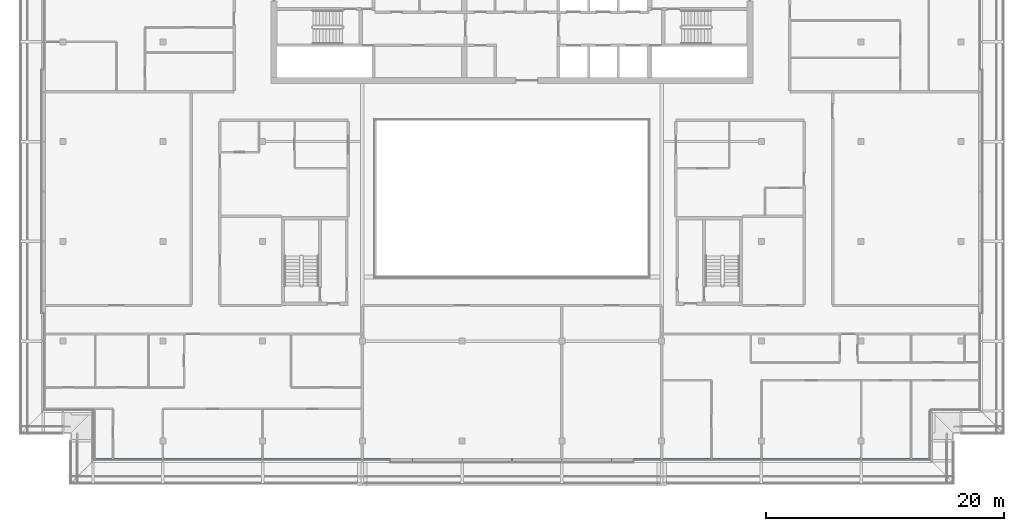
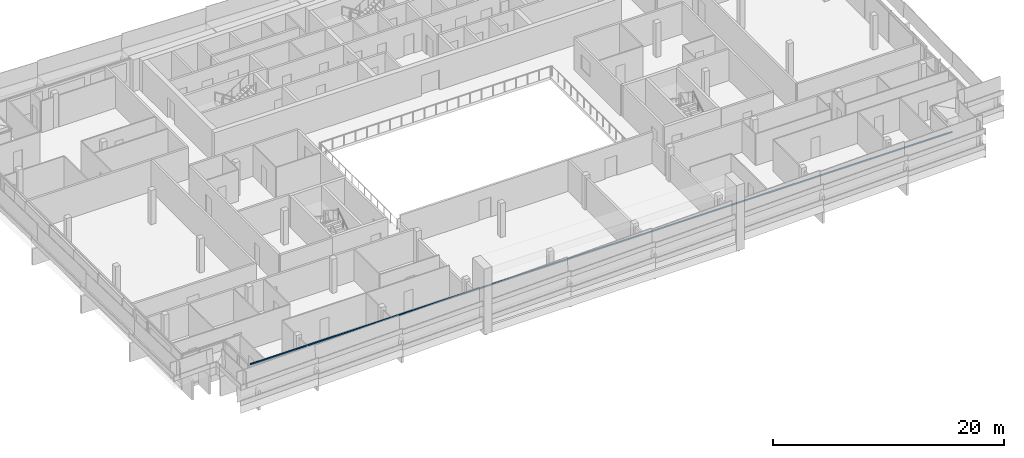
# One storey, part 6 of 33: 1 member, 1 element without a shape of its own.
"""IFC4 building model written with IfcOpenShell, lengths in metres."""

from ifc_helpers import new_model, si_unit, direction, frame, origin, origin_2d, place, context, subcontext, project, spatial, rectangle, extrude, material, material_profile, profile_set, type_object, element, aggregate, save


model = new_model("IFC4")

# Units and contexts
model_context = context("Model", 3, precision=1e-05, world=origin(), true_north=direction((0.0, 1.0)))
body_context = subcontext(model_context, "Body", "Model", "MODEL_VIEW")
ifc_project = project(units=[si_unit("LENGTHUNIT", "METRE"), si_unit("AREAUNIT", "SQUARE_METRE"), si_unit("VOLUMEUNIT", "CUBIC_METRE"), si_unit("PLANEANGLEUNIT", "RADIAN"), si_unit("MASSUNIT", "GRAM", prefix="KILO")], contexts=[model_context])

# Site, building, storey
site_placement = place(None, origin())
site = spatial("IfcSite", under=ifc_project, at=site_placement, CompositionType="ELEMENT")
building_placement = place(site_placement, origin())
building = spatial("IfcBuilding", under=site, at=building_placement, Name="Saffron Gate Tower", CompositionType="ELEMENT")
storey_placement = place(building_placement, frame((0.0, 0.0, 263.550048828125)))
storey = spatial("IfcBuildingStorey", under=building, at=storey_placement, Name="L63", CompositionType="ELEMENT", Elevation=263.550048828125)

# Curtain wall, member
ifc_material = material(Name="Aluminium, bronze anodised", Category="aluminium")
curtain_wall_type = type_object("IfcCurtainWallType", Name="CWS1 curtain wall front facade", PredefinedType="NOTDEFINED", material=ifc_material)
curtain_wall_placement = place(storey_placement, origin())
curtain_wall = element("IfcCurtainWall", 1, at=curtain_wall_placement, inside=storey, type_object=curtain_wall_type, Name="CWS1 run 1", PredefinedType="NOTDEFINED")
ifc_material_profile = material_profile(ifc_material, rectangle(XDim=0.1201171875, YDim=0.1201171875, at=origin_2d()))
ifc_profile_set = profile_set([ifc_material_profile], Name="Aluminium, bronze anodised")
member_type = type_object("IfcMemberType", Name="CWS1 head transom", PredefinedType="USERDEFINED", material=ifc_profile_set)
member_placement = place(storey_placement, frame((52.568115234375, 30.248046875, 3.260009765625), z_axis=(1.0, 0.0, 0.0), x_axis=(0.0, 1.0, 0.0)))
member = element("IfcMember", 2, at=member_placement, type_object=member_type, Name="CWS1 head transom", ObjectType="TRANSOM", PredefinedType="USERDEFINED", context=body_context, shape_type="SweptSolid", body=[
    extrude(rectangle(XDim=0.1201171875, YDim=0.1201171875, at=origin_2d()), origin(), (0.0, 0.0, 1.0), 70.06396484375),
])
aggregate(curtain_wall, [member])

save(model, "model.ifc")
